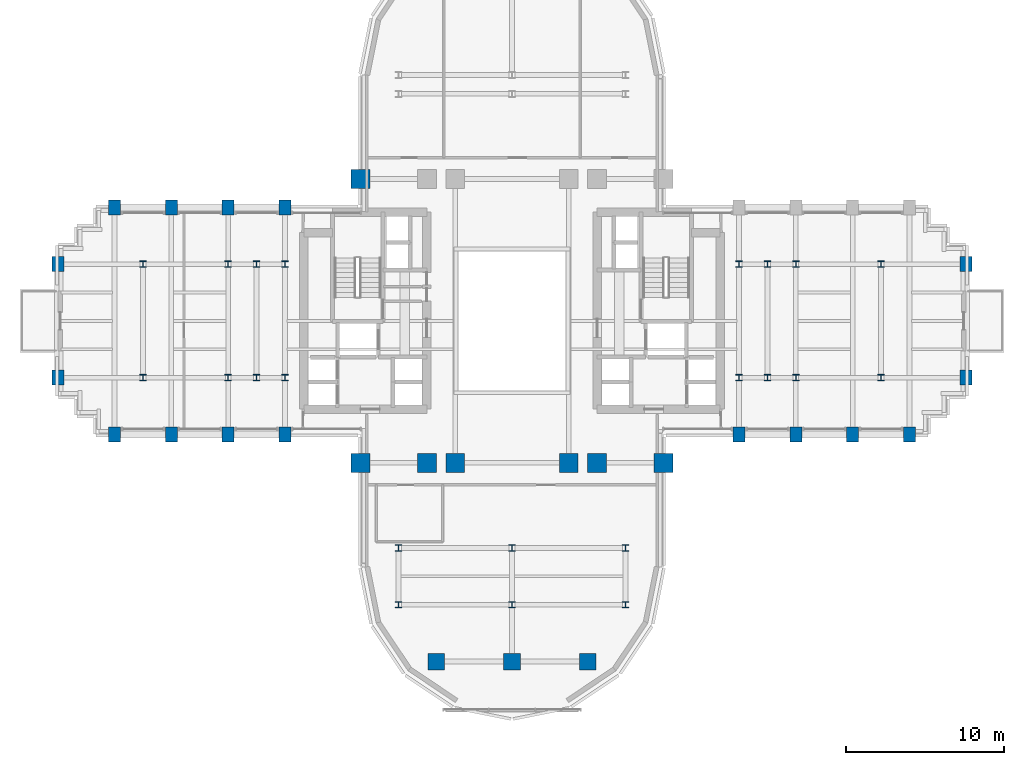
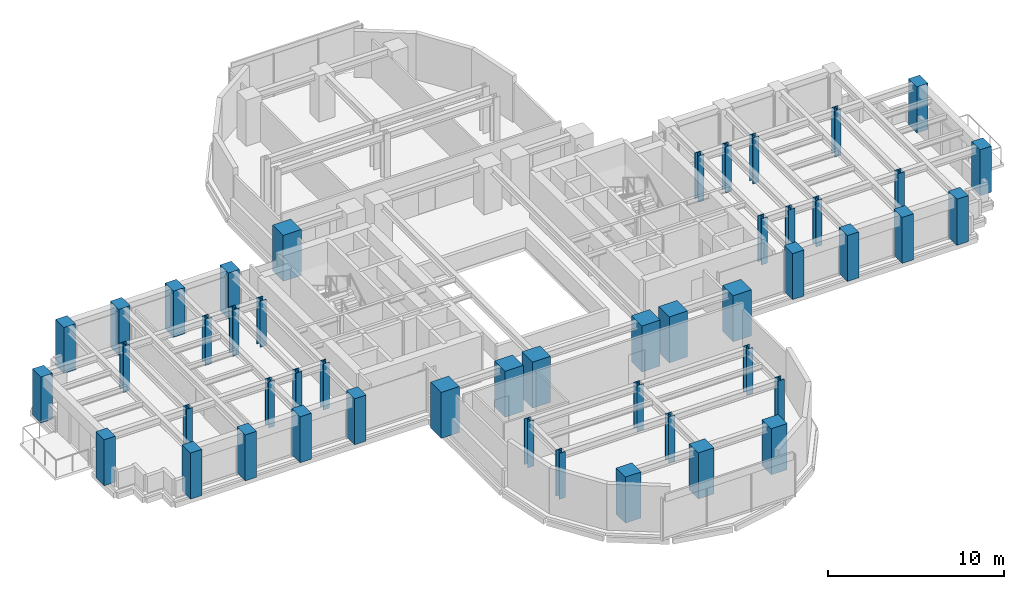
# One storey, part 1 of 15: 48 columns.
"""IFC4 building model written with IfcOpenShell, lengths in metres."""

import ifcopenshell
import ifcopenshell.guid

model = None  # the IFC model being written
_history = None  # IfcOwnerHistory: only IFC2X3 demands one
_inside = {}  # id of a spatial element -> (the spatial element, [elements in it])
_under = {}  # id of a project, library or spatial element -> (it, [spatial elements below it])
_declared = {}  # id of a project -> (the project, [libraries it declares])
_typed = {}  # id of a type object -> (the type object, [elements of that type])
_made_of = {}  # id of a material, layer set ... -> (it, [elements and type objects made of it])


def new_model(schema):
    """Start an empty IFC model of exactly this schema.

    Asked for "IFC4X3", IfcOpenShell would pick the latest addendum, in which some entities
    have other attributes; the version numbers below select the first issue.
    IFC2X3 requires an IfcOwnerHistory on every rooted entity: one is made here for all.
    """
    global model, _history
    if schema == "IFC4X3":
        model = ifcopenshell.file(schema_version=(4, 3, 0, 0))
    else:
        model = ifcopenshell.file(schema=schema)
    _inside.clear()
    _under.clear()
    _declared.clear()
    _typed.clear()
    _made_of.clear()
    _history = None
    if model.schema == "IFC2X3":
        org = make("IfcOrganization", Name="unknown")
        user = make(
            "IfcPersonAndOrganization",
            ThePerson=make("IfcPerson", FamilyName="unknown"),
            TheOrganization=org,
        )
        app = make(
            "IfcApplication",
            ApplicationDeveloper=org,
            Version="unknown",
            ApplicationFullName="unknown",
            ApplicationIdentifier="unknown",
        )
        _history = make(
            "IfcOwnerHistory",
            OwningUser=user,
            OwningApplication=app,
            ChangeAction="ADDED",
            CreationDate=0,
        )
    return model


def make(cls, **values):
    """One entity of the class cls with the attributes given. An attribute that is None is left unset."""
    return model.create_entity(
        cls, **{name: value for name, value in values.items() if value is not None}
    )


def rooted(cls, **values):
    """An entity with a GlobalId (a new one), such as an element, a storey or a relation."""
    return make(cls, GlobalId=ifcopenshell.guid.new(), OwnerHistory=_history, **values)


def si_unit(unit_type, name, prefix=None):
    """IfcSIUnit, for example si_unit("LENGTHUNIT", "METRE", prefix="MILLI")."""
    return make("IfcSIUnit", UnitType=unit_type, Prefix=prefix, Name=name)


def assignment(units):
    """IfcUnitAssignment: the units of a project."""
    return None if units is None else make("IfcUnitAssignment", Units=units)


def point(xyz):
    """IfcCartesianPoint."""
    return None if xyz is None else make("IfcCartesianPoint", Coordinates=xyz)


def direction(xyz):
    """IfcDirection."""
    return None if xyz is None else make("IfcDirection", DirectionRatios=xyz)


def frame(location, z_axis=None, x_axis=None):
    """IfcAxis2Placement3D, a coordinate frame: its origin and axes. An axis left out is left unset."""
    return make(
        "IfcAxis2Placement3D",
        Location=point(location),
        Axis=direction(z_axis),
        RefDirection=direction(x_axis),
    )


def frame_2d(location, x_axis=None):
    """IfcAxis2Placement2D, a coordinate frame in the plane: its origin and x axis."""
    return make(
        "IfcAxis2Placement2D", Location=point(location), RefDirection=direction(x_axis)
    )


def origin():
    """The frame at (0, 0, 0) with its axes left unset."""
    return frame((0.0, 0.0, 0.0))


def origin_2d():
    """The frame at (0, 0) in the plane with its x axis left unset."""
    return frame_2d((0.0, 0.0))


def place(relative_to, where):
    """IfcLocalPlacement: puts the frame where relative to a parent placement (None: the world)."""
    return make(
        "IfcLocalPlacement", PlacementRelTo=relative_to, RelativePlacement=where
    )


def context(
    kind, dimensions, precision=None, world=None, true_north=None, identifier=None
):
    """IfcGeometricRepresentationContext, for example the 3D "Model" context."""
    return make(
        "IfcGeometricRepresentationContext",
        ContextIdentifier=identifier,
        ContextType=kind,
        CoordinateSpaceDimension=dimensions,
        Precision=precision,
        WorldCoordinateSystem=world,
        TrueNorth=true_north,
    )


def subcontext(parent, identifier, kind, view, scale=None):
    """IfcGeometricRepresentationSubContext, for example "Body" below "Model"."""
    return make(
        "IfcGeometricRepresentationSubContext",
        ContextIdentifier=identifier,
        ContextType=kind,
        ParentContext=parent,
        TargetScale=scale,
        TargetView=view,
    )


def project(units=None, contexts=None):
    """IfcProject with its units and contexts."""
    return rooted(
        "IfcProject",
        Name="project",
        RepresentationContexts=contexts,
        UnitsInContext=assignment(units),
    )


def spatial(cls, under=None, at=None, **own):
    """A site, building, storey or space (cls), placed at a placement, below another one or the project."""
    s = rooted(cls, ObjectPlacement=at, **own)
    if under is not None:
        _under.setdefault(under.id(), (under, []))[1].append(s)
    return s


def profile(cls, at=None, kind="AREA", **sizes):
    """A parametric profile (cls). Its sizes go by their IFC names, for example OverallWidth=200.0."""
    return make(cls, ProfileType=kind, Position=at, **sizes)


def rectangle(**sizes):
    """IfcRectangleProfileDef."""
    return profile("IfcRectangleProfileDef", **sizes)


def i_section(**sizes):
    """IfcIShapeProfileDef."""
    return profile("IfcIShapeProfileDef", **sizes)


def extrude(swept, where, along, depth):
    """IfcExtrudedAreaSolid: the profile swept, set in the frame where, extruded along a direction by depth."""
    return make(
        "IfcExtrudedAreaSolid",
        SweptArea=swept,
        Position=where,
        ExtrudedDirection=direction(along),
        Depth=depth,
    )


def shape(context_of_items, identifier, shape_type, items):
    """IfcShapeRepresentation: the items that make up one representation, for example the "Body"."""
    return make(
        "IfcShapeRepresentation",
        ContextOfItems=context_of_items,
        RepresentationIdentifier=identifier,
        RepresentationType=shape_type,
        Items=items,
    )


def source(mapping_origin, context_of_items, identifier, shape_type, items):
    """IfcRepresentationMap: a shape defined once, which mapped items show again and again."""
    return make(
        "IfcRepresentationMap",
        MappingOrigin=mapping_origin,
        MappedRepresentation=shape(context_of_items, identifier, shape_type, items),
    )


def transform(
    local_origin,
    x_axis=None,
    y_axis=None,
    z_axis=None,
    scale=None,
    scale2=None,
    scale3=None,
    uniform=True,
):
    """IfcCartesianTransformationOperator3D, or its non-uniform kind. x_axis, y_axis, z_axis: its Axis1, 2, 3."""
    if uniform:
        return make(
            "IfcCartesianTransformationOperator3D",
            Axis1=direction(x_axis),
            Axis2=direction(y_axis),
            LocalOrigin=point(local_origin),
            Scale=scale,
            Axis3=direction(z_axis),
        )
    return make(
        "IfcCartesianTransformationOperator3DnonUniform",
        Axis1=direction(x_axis),
        Axis2=direction(y_axis),
        LocalOrigin=point(local_origin),
        Scale=scale,
        Axis3=direction(z_axis),
        Scale2=scale2,
        Scale3=scale3,
    )


def mapped(mapping_source, mapping_target):
    """IfcMappedItem: shows the shape of a source again, moved by a transform."""
    return make(
        "IfcMappedItem", MappingSource=mapping_source, MappingTarget=mapping_target
    )


def material(Name=None, Category=None):
    """IfcMaterial."""
    return make("IfcMaterial", Name=Name, Category=Category)


def material_profile(
    of_material, cross_section, Name=None, Category=None, Priority=None
):
    """IfcMaterialProfile: a cross section and its material."""
    return make(
        "IfcMaterialProfile",
        Name=Name,
        Material=of_material,
        Profile=cross_section,
        Priority=Priority,
        Category=Category,
    )


def profile_set(profiles, Name=None, composite=None):
    """IfcMaterialProfileSet."""
    return make(
        "IfcMaterialProfileSet",
        Name=Name,
        MaterialProfiles=profiles,
        CompositeProfile=composite,
    )


def made_of(thing, what):
    """Note that an element or type object is made of a material, layer set ...; save() writes the relation."""
    if what is not None:
        _made_of.setdefault(what.id(), (what, []))[1].append(thing)
    return thing


def type_object(cls, material=None, **own):
    """A type object (cls), such as IfcWallType, which elements share."""
    return made_of(rooted(cls, **own), material)


def element(
    cls,
    number,
    at=None,
    inside=None,
    cuts=None,
    type_object=None,
    material=None,
    context=None,
    identifier="Body",
    shape_type=None,
    held_by="IfcProductDefinitionShape",
    body=None,
    shapes=None,
    **own,
):
    """One element of the class cls, such as IfcWall. Its Tag is "e" and its number.

    at: its placement. inside: the storey or other place that contains it. cuts: it is an
    opening in that element (IfcRelVoidsElement). A single representation is given by context,
    identifier, shape_type and body (its items); several are given by shapes. held_by: the class
    of the entity that holds the representations. save() writes the other relations.
    """
    e = rooted(cls, Tag="e%d" % number, ObjectPlacement=at, **own)
    if body is not None:
        shapes = [shape(context, identifier, shape_type, body)]
    if shapes is not None:
        e.Representation = make(held_by, Representations=shapes)
    if inside is not None:
        _inside.setdefault(inside.id(), (inside, []))[1].append(e)
    if cuts is not None:
        rooted(
            "IfcRelVoidsElement", RelatingBuildingElement=cuts, RelatedOpeningElement=e
        )
    if type_object is not None:
        _typed.setdefault(type_object.id(), (type_object, []))[1].append(e)
    return made_of(e, material)


def aggregate(whole, parts):
    """IfcRelAggregates: a whole, such as a stair, and the parts it consists of."""
    return rooted("IfcRelAggregates", RelatingObject=whole, RelatedObjects=parts)


def save(model, path):
    """Write the relations noted so far, then the file.

    IfcRelAggregates (storeys below a building ...), IfcRelContainedInSpatialStructure (elements
    in a storey), IfcRelDefinesByType, IfcRelAssociatesMaterial and IfcRelDeclares: one each for
    every whole, place, type object, material and project.
    """
    for whole, parts in _under.values():
        aggregate(whole, parts)
    for where, things in _inside.values():
        rooted(
            "IfcRelContainedInSpatialStructure",
            RelatedElements=things,
            RelatingStructure=where,
        )
    for kind, things in _typed.values():
        rooted("IfcRelDefinesByType", RelatedObjects=things, RelatingType=kind)
    for what, things in _made_of.values():
        rooted("IfcRelAssociatesMaterial", RelatedObjects=things, RelatingMaterial=what)
    for by, libraries in _declared.values():
        rooted("IfcRelDeclares", RelatingContext=by, RelatedDefinitions=libraries)
    model.write(path)


model = new_model("IFC4")

# Units and contexts
model_context = context("Model", 3, precision=1e-05, world=origin(), true_north=direction((0.0, 1.0)))
body_context = subcontext(model_context, "Body", "Model", "MODEL_VIEW")
ifc_project = project(units=[si_unit("LENGTHUNIT", "METRE"), si_unit("AREAUNIT", "SQUARE_METRE"), si_unit("VOLUMEUNIT", "CUBIC_METRE"), si_unit("PLANEANGLEUNIT", "RADIAN"), si_unit("MASSUNIT", "GRAM", prefix="KILO")], contexts=[model_context])

# Site, building, storey
site_placement = place(None, origin())
site = spatial("IfcSite", under=ifc_project, at=site_placement, CompositionType="ELEMENT")
building_placement = place(site_placement, origin())
building = spatial("IfcBuilding", under=site, at=building_placement, Name="Keilestroom Media Tower", CompositionType="ELEMENT")
storey_placement = place(building_placement, frame((0.0, 0.0, 47.60009765625)))
storey = spatial("IfcBuildingStorey", under=building, at=storey_placement, Name="L11", CompositionType="ELEMENT", Elevation=47.60009765625)

# Columns
ifc_material_1 = material(Name="Precast concrete C40/50", Category="concrete")
ifc_material_profile_1 = material_profile(ifc_material_1, rectangle(XDim=0.75, YDim=0.949951171875, at=origin_2d()), Name="PC 950x750")
ifc_profile_set_1 = profile_set([ifc_material_profile_1], Name="Precast concrete C40/50")
column_type_1 = type_object("IfcColumnType", Name="Structural-Column-PC-950x750", PredefinedType="COLUMN", material=ifc_profile_set_1)
shared_shape_1 = source(origin(), body_context, "Body", "SweptSolid", [
    extrude(rectangle(XDim=0.75, YDim=0.949951171875, at=origin_2d()), origin(), (0.0, 0.0, 1.0), 3.199951171875),
])
for number, where, z_axis, x_axis, name in (
    (1, (-28.800048828125, -3.60009765625, 0.0), (0.0, 0.0, 1.0), (1.0, 0.0, 0.0), "L11 Column PC-1 (-28.8,-3.6)"),
    (2, (-28.800048828125, 3.60009765625, 0.0), (0.0, 0.0, 1.0), (1.0, 0.0, 0.0), "L11 Column PC-1 (-28.8,+3.6)"),
    (3, (-25.199951171875, -7.199951171875, 0.0), (0.0, 0.0, 1.0), (1.0, 0.0, 0.0), "L11 Column PC-1 (-25.2,-7.2)"),
    (4, (-25.199951171875, 7.199951171875, 0.0), (0.0, 0.0, 1.0), (1.0, 0.0, 0.0), "L11 Column PC-1 (-25.2,+7.2)"),
    (5, (-21.60009765625, -7.199951171875, 0.0), (0.0, 0.0, 1.0), (1.0, 0.0, 0.0), "L11 Column PC-1 (-21.6,-7.2)"),
    (6, (-21.60009765625, 7.199951171875, 0.0), (0.0, 0.0, 1.0), (1.0, 0.0, 0.0), "L11 Column PC-1 (-21.6,+7.2)"),
    (7, (-18.0, -7.199951171875, 0.0), (0.0, 0.0, 1.0), (1.0, 0.0, 0.0), "L11 Column PC-1 (-18.0,-7.2)"),
    (8, (-18.0, 7.199951171875, 0.0), (0.0, 0.0, 1.0), (1.0, 0.0, 0.0), "L11 Column PC-1 (-18.0,+7.2)"),
    (9, (-14.39990234375, -7.199951171875, 0.0), (0.0, 0.0, 1.0), (1.0, 0.0, 0.0), "L11 Column PC-1 (-14.4,-7.2)"),
    (10, (-14.39990234375, 7.199951171875, 0.0), (0.0, 0.0, 1.0), (1.0, 0.0, 0.0), "L11 Column PC-1 (-14.4,+7.2)"),
    (11, (14.39990234375, -7.199951171875, 0.0), (0.0, 0.0, 1.0), (1.0, 0.0, 0.0), "L11 Column PC-1 (+14.4,-7.2)"),
    (12, (18.0, -7.199951171875, 0.0), (0.0, 0.0, 1.0), (1.0, 0.0, 0.0), "L11 Column PC-1 (+18.0,-7.2)"),
    (13, (21.60009765625, -7.199951171875, 0.0), (0.0, 0.0, 1.0), (1.0, 0.0, 0.0), "L11 Column PC-1 (+21.6,-7.2)"),
    (14, (25.199951171875, -7.199951171875, 0.0), (0.0, 0.0, 1.0), (1.0, 0.0, 0.0), "L11 Column PC-1 (+25.2,-7.2)"),
    (15, (28.800048828125, -3.60009765625, 0.0), (0.0, 0.0, 1.0), (1.0, 0.0, 0.0), "L11 Column PC-1 (+28.8,-3.6)"),
    (16, (28.800048828125, 3.60009765625, 0.0), (0.0, 0.0, 1.0), (1.0, 0.0, 0.0), "L11 Column PC-1 (+28.8,+3.6)"),
):
    element("IfcColumn", number, at=place(storey_placement, frame(where, z_axis=z_axis, x_axis=x_axis)), inside=storey, type_object=column_type_1, Name=name, PredefinedType="COLUMN", context=body_context, shape_type="MappedRepresentation", body=[
        mapped(shared_shape_1, transform((0.0, 0.0, 0.0), x_axis=(1.0, 0.0, 0.0), y_axis=(0.0, 1.0, 0.0), z_axis=(0.0, 0.0, 1.0), scale=1.0)),
    ])
ifc_material_2 = material(Name="Steel S460", Category="steel")
ifc_material_profile_2 = material_profile(ifc_material_2, i_section(OverallWidth=0.404052734375, OverallDepth=0.406982421875, WebThickness=0.02197265625, FlangeThickness=0.035400390625, at=origin_2d()), Name="HD 400x347")
ifc_profile_set_2 = profile_set([ifc_material_profile_2], Name="Steel S460")
column_type_2 = type_object("IfcColumnType", Name="Structural-Column-HD-400x347", PredefinedType="COLUMN", material=ifc_profile_set_2)
shared_shape_2 = source(origin(), body_context, "Body", "SweptSolid", [
    extrude(i_section(OverallWidth=0.404052734375, OverallDepth=0.406982421875, WebThickness=0.02197265625, FlangeThickness=0.035400390625, at=origin_2d()), origin(), (0.0, 0.0, 1.0), 3.199951171875),
])
for number, where, z_axis, x_axis, name in (
    (17, (-23.39990234375, -3.60009765625, 0.0), (0.0, 0.0, 1.0), (1.0, 0.0, 0.0), "L11 Column SC-2 (-23.4,-3.6)"),
    (18, (-23.39990234375, 3.60009765625, 0.0), (0.0, 0.0, 1.0), (1.0, 0.0, 0.0), "L11 Column SC-2 (-23.4,+3.6)"),
    (19, (-18.0, -3.60009765625, 0.0), (0.0, 0.0, 1.0), (1.0, 0.0, 0.0), "L11 Column SC-2 (-18.0,-3.6)"),
    (20, (-18.0, 3.60009765625, 0.0), (0.0, 0.0, 1.0), (1.0, 0.0, 0.0), "L11 Column SC-2 (-18.0,+3.6)"),
    (21, (-16.199951171875, -3.60009765625, 0.0), (0.0, 0.0, 1.0), (1.0, 0.0, 0.0), "L11 Column SC-2 (-16.2,-3.6)"),
    (22, (-16.199951171875, 3.60009765625, 0.0), (0.0, 0.0, 1.0), (1.0, 0.0, 0.0), "L11 Column SC-2 (-16.2,+3.6)"),
    (23, (-14.39990234375, -3.60009765625, 0.0), (0.0, 0.0, 1.0), (1.0, 0.0, 0.0), "L11 Column SC-2 (-14.4,-3.6)"),
    (24, (-14.39990234375, 3.60009765625, 0.0), (0.0, 0.0, 1.0), (1.0, 0.0, 0.0), "L11 Column SC-2 (-14.4,+3.6)"),
    (25, (-7.199951171875, -18.0, 0.0), (0.0, 0.0, 1.0), (1.0, 0.0, 0.0), "L11 Column SC-2 (-7.2,-18.0)"),
    (26, (-7.199951171875, -14.39990234375, 0.0), (0.0, 0.0, 1.0), (1.0, 0.0, 0.0), "L11 Column SC-2 (-7.2,-14.4)"),
    (27, (0.0, -18.0, 0.0), (0.0, 0.0, 1.0), (1.0, 0.0, 0.0), "L11 Column SC-2 (+0.0,-18.0)"),
    (28, (0.0, -14.39990234375, 0.0), (0.0, 0.0, 1.0), (1.0, 0.0, 0.0), "L11 Column SC-2 (+0.0,-14.4)"),
    (29, (7.199951171875, -18.0, 0.0), (0.0, 0.0, 1.0), (1.0, 0.0, 0.0), "L11 Column SC-2 (+7.2,-18.0)"),
    (30, (7.199951171875, -14.39990234375, 0.0), (0.0, 0.0, 1.0), (1.0, 0.0, 0.0), "L11 Column SC-2 (+7.2,-14.4)"),
    (31, (14.39990234375, -3.60009765625, 0.0), (0.0, 0.0, 1.0), (1.0, 0.0, 0.0), "L11 Column SC-2 (+14.4,-3.6)"),
    (32, (14.39990234375, 3.60009765625, 0.0), (0.0, 0.0, 1.0), (1.0, 0.0, 0.0), "L11 Column SC-2 (+14.4,+3.6)"),
    (33, (16.199951171875, -3.60009765625, 0.0), (0.0, 0.0, 1.0), (1.0, 0.0, 0.0), "L11 Column SC-2 (+16.2,-3.6)"),
    (34, (16.199951171875, 3.60009765625, 0.0), (0.0, 0.0, 1.0), (1.0, 0.0, 0.0), "L11 Column SC-2 (+16.2,+3.6)"),
    (35, (18.0, -3.60009765625, 0.0), (0.0, 0.0, 1.0), (1.0, 0.0, 0.0), "L11 Column SC-2 (+18.0,-3.6)"),
    (36, (18.0, 3.60009765625, 0.0), (0.0, 0.0, 1.0), (1.0, 0.0, 0.0), "L11 Column SC-2 (+18.0,+3.6)"),
    (37, (23.39990234375, -3.60009765625, 0.0), (0.0, 0.0, 1.0), (1.0, 0.0, 0.0), "L11 Column SC-2 (+23.4,-3.6)"),
    (38, (23.39990234375, 3.60009765625, 0.0), (0.0, 0.0, 1.0), (1.0, 0.0, 0.0), "L11 Column SC-2 (+23.4,+3.6)"),
):
    element("IfcColumn", number, at=place(storey_placement, frame(where, z_axis=z_axis, x_axis=x_axis)), inside=storey, type_object=column_type_2, Name=name, PredefinedType="COLUMN", context=body_context, shape_type="MappedRepresentation", body=[
        mapped(shared_shape_2, transform((0.0, 0.0, 0.0), x_axis=(1.0, 0.0, 0.0), y_axis=(0.0, 1.0, 0.0), z_axis=(0.0, 0.0, 1.0), scale=1.0)),
    ])
ifc_material_3 = material(Name="Concrete C70/85", Category="concrete")
ifc_material_profile_3 = material_profile(ifc_material_3, rectangle(XDim=1.199951171875, YDim=1.199951171875, at=origin_2d()), Name="RC 1200x1200")
ifc_profile_set_3 = profile_set([ifc_material_profile_3], Name="Concrete C70/85")
column_type_3 = type_object("IfcColumnType", Name="Structural-Column-RC-1200x1200", PredefinedType="COLUMN", material=ifc_profile_set_3)
shared_shape_3 = source(origin(), body_context, "Body", "SweptSolid", [
    extrude(rectangle(XDim=1.199951171875, YDim=1.199951171875, at=origin_2d()), origin(), (0.0, 0.0, 1.0), 3.199951171875),
])
for number, where, z_axis, x_axis, name in (
    (39, (-9.60009765625, -9.0, 0.0), (0.0, 0.0, 1.0), (1.0, 0.0, 0.0), "L11 Column MC-2 (-9.6,-9.0)"),
    (40, (-9.60009765625, 9.0, 0.0), (0.0, 0.0, 1.0), (1.0, 0.0, 0.0), "L11 Column MC-2 (-9.6,+9.0)"),
    (41, (-5.39990234375, -9.0, 0.0), (0.0, 0.0, 1.0), (1.0, 0.0, 0.0), "L11 Column MC-2 (-5.4,-9.0)"),
    (42, (-3.60009765625, -9.0, 0.0), (0.0, 0.0, 1.0), (1.0, 0.0, 0.0), "L11 Column MC-2 (-3.6,-9.0)"),
    (43, (3.60009765625, -9.0, 0.0), (0.0, 0.0, 1.0), (1.0, 0.0, 0.0), "L11 Column MC-2 (+3.6,-9.0)"),
    (44, (5.39990234375, -9.0, 0.0), (0.0, 0.0, 1.0), (1.0, 0.0, 0.0), "L11 Column MC-2 (+5.4,-9.0)"),
    (45, (9.60009765625, -9.0, 0.0), (0.0, 0.0, 1.0), (1.0, 0.0, 0.0), "L11 Column MC-2 (+9.6,-9.0)"),
):
    element("IfcColumn", number, at=place(storey_placement, frame(where, z_axis=z_axis, x_axis=x_axis)), inside=storey, type_object=column_type_3, Name=name, PredefinedType="COLUMN", context=body_context, shape_type="MappedRepresentation", body=[
        mapped(shared_shape_3, transform((0.0, 0.0, 0.0), x_axis=(1.0, 0.0, 0.0), y_axis=(0.0, 1.0, 0.0), z_axis=(0.0, 0.0, 1.0), scale=1.0)),
    ])
ifc_material_4 = material(Name="Concrete C55/67", Category="concrete")
ifc_material_profile_4 = material_profile(ifc_material_4, rectangle(XDim=1.050048828125, YDim=1.050048828125, at=origin_2d()), Name="RC 1050x1050")
ifc_profile_set_4 = profile_set([ifc_material_profile_4], Name="Concrete C55/67")
column_type_4 = type_object("IfcColumnType", Name="Structural-Column-RC-1050x1050", PredefinedType="COLUMN", material=ifc_profile_set_4)
shared_shape_4 = source(origin(), body_context, "Body", "SweptSolid", [
    extrude(rectangle(XDim=1.050048828125, YDim=1.050048828125, at=origin_2d()), origin(), (0.0, 0.0, 1.0), 3.199951171875),
])
for number, where, z_axis, x_axis, name in (
    (46, (-4.800048828125, -21.60009765625, 0.0), (0.0, 0.0, 1.0), (1.0, 0.0, 0.0), "L11 Column MC-3 (-4.8,-21.6)"),
    (47, (0.0, -21.60009765625, 0.0), (0.0, 0.0, 1.0), (1.0, 0.0, 0.0), "L11 Column MC-3 (+0.0,-21.6)"),
    (48, (4.800048828125, -21.60009765625, 0.0), (0.0, 0.0, 1.0), (1.0, 0.0, 0.0), "L11 Column MC-3 (+4.8,-21.6)"),
):
    element("IfcColumn", number, at=place(storey_placement, frame(where, z_axis=z_axis, x_axis=x_axis)), inside=storey, type_object=column_type_4, Name=name, PredefinedType="COLUMN", context=body_context, shape_type="MappedRepresentation", body=[
        mapped(shared_shape_4, transform((0.0, 0.0, 0.0), x_axis=(1.0, 0.0, 0.0), y_axis=(0.0, 1.0, 0.0), z_axis=(0.0, 0.0, 1.0), scale=1.0)),
    ])

save(model, "model.ifc")
